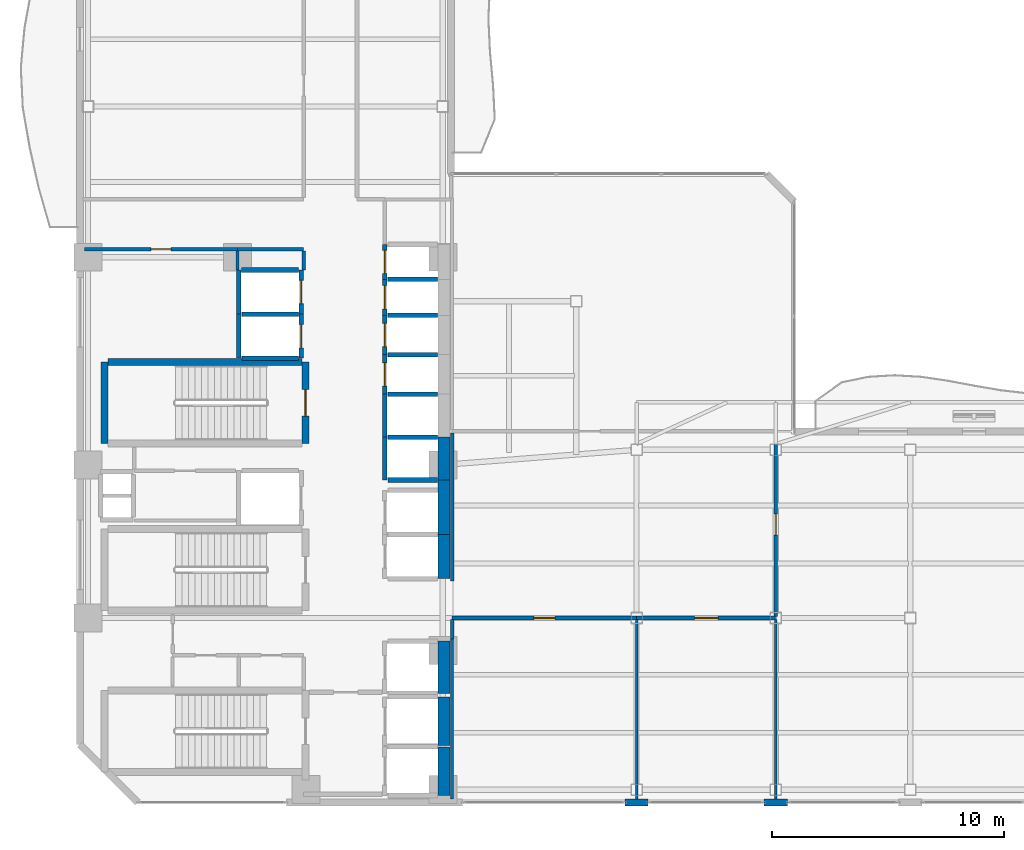
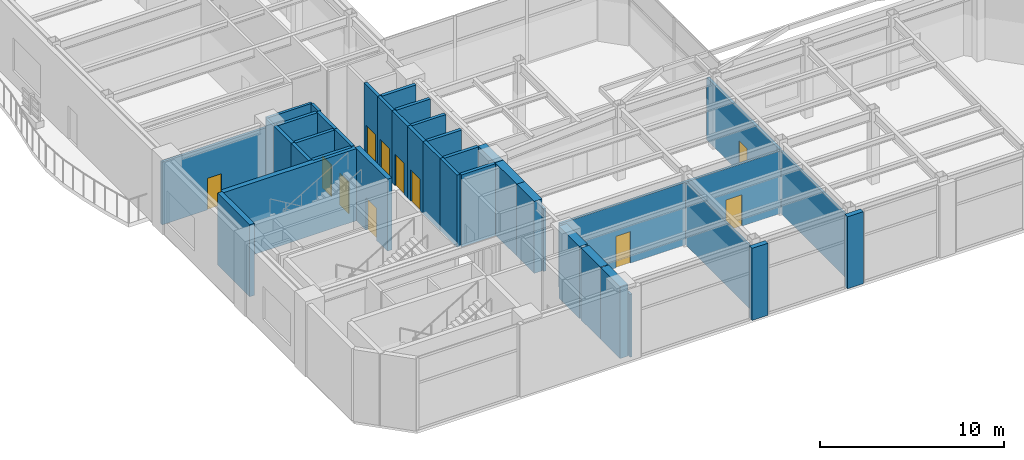
# One storey, part 17 of 23: 42 walls, 11 doors, 11 openings.
"""IFC4 building model written with IfcOpenShell, lengths in metres."""

from ifc_helpers import new_model, si_unit, direction, frame, frame_2d, origin, place, context, subcontext, project, spatial, rectangle, extrude, material, layer, layer_set, type_object, element, fill, save


model = new_model("IFC4")

# Units and contexts
model_context = context("Model", 3, precision=1e-05, world=origin(), true_north=direction((0.0, 1.0)))
body_context = subcontext(model_context, "Body", "Model", "MODEL_VIEW")
ifc_project = project(units=[si_unit("LENGTHUNIT", "METRE"), si_unit("AREAUNIT", "SQUARE_METRE"), si_unit("VOLUMEUNIT", "CUBIC_METRE"), si_unit("PLANEANGLEUNIT", "RADIAN"), si_unit("MASSUNIT", "GRAM", prefix="KILO")], contexts=[model_context])

# Site, building, storey
site_placement = place(None, origin())
site = spatial("IfcSite", under=ifc_project, at=site_placement, CompositionType="ELEMENT")
building_placement = place(site_placement, origin())
building = spatial("IfcBuilding", under=site, at=building_placement, Name="Mawjaban Terraces University", CompositionType="ELEMENT")
storey_placement = place(building_placement, frame((0.0, 0.0, 98.39990234375)))
storey = spatial("IfcBuildingStorey", under=building, at=storey_placement, Name="L23", CompositionType="ELEMENT", Elevation=98.39990234375)

# Walls
ifc_material_1 = material(Name="Concrete C60/75", Category="concrete")
ifc_layer_1 = layer(ifc_material_1, 0.5)
ifc_layer_set_1 = layer_set([ifc_layer_1], Name="Concrete C60/75")
wall_type_1 = type_object("IfcWallType", Name="CoreShearWall_500", PredefinedType="SHEAR", material=ifc_layer_set_1)
wall_1_placement = place(storey_placement, frame((37.699951171875, 0.300048828125, 0.0), z_axis=(0.0, 0.0, 1.0), x_axis=(0.0, 1.0, 0.0)))
element("IfcWall", 1, at=wall_1_placement, inside=storey, type_object=wall_type_1, Name="L23 Lift FL-1 Hoistway Wall East", PredefinedType="SHEAR", context=body_context, shape_type="SweptSolid", body=[
    extrude(rectangle(XDim=2.099853515625, YDim=0.5, at=frame_2d((1.0498046875, 0.0))), origin(), (0.0, 0.0, 1.0), 4.7900390625),
])
wall_2_placement = place(storey_placement, frame((37.699951171875, 2.449951171875, 0.0), z_axis=(0.0, 0.0, 1.0), x_axis=(0.0, 1.0, 0.0)))
element("IfcWall", 2, at=wall_2_placement, inside=storey, type_object=wall_type_1, Name="L23 Lift FL-2 Hoistway Wall East", PredefinedType="SHEAR", context=body_context, shape_type="SweptSolid", body=[
    extrude(rectangle(XDim=2.10009765625, YDim=0.5, at=frame_2d((1.050048828125, 0.0))), origin(), (0.0, 0.0, 1.0), 4.7900390625),
])
wall_3_placement = place(storey_placement, frame((37.699951171875, 4.699951171875, 0.0), z_axis=(0.0, 0.0, 1.0), x_axis=(0.0, 1.0, 0.0)))
element("IfcWall", 3, at=wall_3_placement, inside=storey, type_object=wall_type_1, Name="L23 Lift SL-1 Hoistway Wall East", PredefinedType="SHEAR", context=body_context, shape_type="SweptSolid", body=[
    extrude(rectangle(XDim=2.25, YDim=0.5, at=frame_2d((1.125, 0.0))), origin(), (0.0, 0.0, 1.0), 4.7900390625),
])
wall_4_placement = place(storey_placement, frame((37.699951171875, 9.64990234375, 0.0), z_axis=(0.0, 0.0, 1.0), x_axis=(0.0, 1.0, 0.0)))
element("IfcWall", 4, at=wall_4_placement, inside=storey, type_object=wall_type_1, Name="L23 Lift PL-H1 Hoistway Wall East", PredefinedType="SHEAR", context=body_context, shape_type="SweptSolid", body=[
    extrude(rectangle(XDim=1.900146484375, YDim=0.5, at=frame_2d((0.9501953125, 0.0))), origin(), (0.0, 0.0, 1.0), 4.7900390625),
])
wall_5_placement = place(storey_placement, frame((37.699951171875, 11.550048828125, 0.0), z_axis=(0.0, 0.0, 1.0), x_axis=(0.0, 1.0, 0.0)))
element("IfcWall", 5, at=wall_5_placement, inside=storey, type_object=wall_type_1, Name="L23 Lift PL-H2 Hoistway Wall East", PredefinedType="SHEAR", context=body_context, shape_type="SweptSolid", body=[
    extrude(rectangle(XDim=2.349853515625, YDim=0.5, at=frame_2d((1.1748046875, 0.0))), origin(), (0.0, 0.0, 1.0), 4.7900390625),
])
wall_6_placement = place(storey_placement, frame((37.699951171875, 13.89990234375, 0.0), z_axis=(0.0, 0.0, 1.0), x_axis=(0.0, 1.0, 0.0)))
element("IfcWall", 6, at=wall_6_placement, inside=storey, type_object=wall_type_1, Name="L23 Lift OL-1 Hoistway Wall East", PredefinedType="SHEAR", context=body_context, shape_type="SweptSolid", body=[
    extrude(rectangle(XDim=1.85009765625, YDim=0.5, at=frame_2d((0.925048828125, 0.0))), origin(), (0.0, 0.0, 1.0), 4.7900390625),
])

# Wall, opening, door
ifc_material_2 = material(Name="Fire-rated gypsum board on steel stud", Category="steel")
ifc_layer_2 = layer(ifc_material_2, 0.159912109375)
ifc_layer_set_2 = layer_set([ifc_layer_2], Name="Fire-rated gypsum board on steel stud")
wall_type_2 = type_object("IfcWallType", Name="CorridorPartition_160", PredefinedType="PARTITIONING", material=ifc_layer_set_2)
wall_7_placement = place(storey_placement, frame((28.800048828125, 23.85009765625, 0.0), z_axis=(0.0, 0.0, 1.0), x_axis=(-1.0, 0.0, 0.0)))
wall_7 = element("IfcWall", 7, at=wall_7_placement, inside=storey, type_object=wall_type_2, Name="L23 Female Toilet Partition 4", PredefinedType="PARTITIONING", context=body_context, shape_type="SweptSolid", body=[
    extrude(rectangle(XDim=6.60009765625, YDim=0.159912109375, at=frame_2d((3.300048828125, 0.0))), origin(), (0.0, 0.0, 1.0), 4.173095703125),
])
opening_1_placement = place(wall_7_placement, frame((2.860107421875, 0.0, 0.0)))
opening_1 = element("IfcOpeningElement", 8, at=opening_1_placement, cuts=wall_7, Name="Opening ID-088", PredefinedType="OPENING", context=body_context, shape_type="SweptSolid", body=[
    extrude(rectangle(XDim=0.8798828125, YDim=2.10009765625, at=frame_2d((0.43994140625, 1.050048828125))), frame((0.0, 0.08984375, 0.0), z_axis=(0.0, -1.0, 0.0), x_axis=(1.0, 0.0, 0.0)), (0.0, 0.0, 1.0), 0.179931640625),
])
ifc_material_3 = material(Name="Powder-coated steel frame and solid acoustic timber leaf", Category="steel")
door_type_1 = type_object("IfcDoorType", Name="ToiletDoor_880x2100", OperationType="NOTDEFINED", PredefinedType="DOOR", material=ifc_material_3)
door_1_placement = place(opening_1_placement, origin())
door_1 = element("IfcDoor", 9, at=door_1_placement, inside=storey, type_object=door_type_1, Name="L23 Female Toilet Door", OperationType="SINGLE_SWING_LEFT", OverallHeight=2.10009765625, OverallWidth=0.8798828125, PredefinedType="DOOR", context=body_context, shape_type="SweptSolid", body=[
    extrude(rectangle(XDim=0.8798828125, YDim=2.10009765625, at=frame_2d((0.43994140625, 1.050048828125))), frame((0.0, 0.02490234375, 0.0), z_axis=(0.0, -1.0, 0.0), x_axis=(1.0, 0.0, 0.0)), (0.0, 0.0, 1.0), 0.050048828125),
])
fill(opening_1, door_1)

# Wall
wall_8_placement = place(storey_placement, frame((28.800048828125, 23.85009765625, 0.0), z_axis=(0.0, 0.0, 1.0), x_axis=(1.0, 0.0, 0.0)))
element("IfcWall", 10, at=wall_8_placement, inside=storey, type_object=wall_type_2, Name="L23 North Core Cross-Corridor Partition 5", PredefinedType="PARTITIONING", context=body_context, shape_type="SweptSolid", body=[
    extrude(rectangle(XDim=2.849853515625, YDim=0.159912109375, at=frame_2d((1.4248046875, 0.0))), origin(), (0.0, 0.0, 1.0), 4.7900390625),
])

# Wall, opening, door
wall_9_placement = place(storey_placement, frame((38.050048828125, 7.949951171875, 0.0), z_axis=(0.0, 0.0, 1.0), x_axis=(1.0, 0.0, 0.0)))
wall_9 = element("IfcWall", 11, at=wall_9_placement, inside=storey, type_object=wall_type_2, Name="L23 Transfer Sky Lobby Concourse Partition 13", PredefinedType="PARTITIONING", context=body_context, shape_type="SweptSolid", body=[
    extrude(rectangle(XDim=7.949951171875, YDim=0.159912109375, at=frame_2d((3.97509765625, 0.0))), origin(), (0.0, 0.0, 1.0), 4.173095703125),
])
opening_2_placement = place(wall_9_placement, frame((3.52490234375, 0.0, 0.0)))
opening_2 = element("IfcOpeningElement", 12, at=opening_2_placement, cuts=wall_9, Name="Opening ID-090", PredefinedType="OPENING", context=body_context, shape_type="SweptSolid", body=[
    extrude(rectangle(XDim=0.89990234375, YDim=2.10009765625, at=frame_2d((0.449951171875, 1.050048828125))), frame((0.0, 0.08984375, 0.0), z_axis=(0.0, -1.0, 0.0), x_axis=(1.0, 0.0, 0.0)), (0.0, 0.0, 1.0), 0.179931640625),
])
door_type_2 = type_object("IfcDoorType", Name="OfficeDoor_900x2100", OperationType="NOTDEFINED", PredefinedType="DOOR", material=ifc_material_3)
door_2_placement = place(opening_2_placement, origin())
door_2 = element("IfcDoor", 13, at=door_2_placement, inside=storey, type_object=door_type_2, Name="L23 Colloquium Seminar Room 1 Door", OperationType="SINGLE_SWING_LEFT", OverallHeight=2.10009765625, OverallWidth=0.89990234375, PredefinedType="DOOR", context=body_context, shape_type="SweptSolid", body=[
    extrude(rectangle(XDim=0.89990234375, YDim=2.10009765625, at=frame_2d((0.449951171875, 1.050048828125))), frame((0.0, 0.02490234375, 0.0), z_axis=(0.0, -1.0, 0.0), x_axis=(1.0, 0.0, 0.0)), (0.0, 0.0, 1.0), 0.050048828125),
])
fill(opening_2, door_2)

wall_10_placement = place(storey_placement, frame((46.0, 7.949951171875, 0.0), z_axis=(0.0, 0.0, 1.0), x_axis=(1.0, 0.0, 0.0)))
wall_10 = element("IfcWall", 14, at=wall_10_placement, inside=storey, type_object=wall_type_2, Name="L23 Transfer Sky Lobby Concourse Partition 14", PredefinedType="PARTITIONING", context=body_context, shape_type="SweptSolid", body=[
    extrude(rectangle(XDim=6.0, YDim=0.159912109375, at=frame_2d((3.0, 0.0))), origin(), (0.0, 0.0, 1.0), 4.173095703125),
])
opening_3_placement = place(wall_10_placement, frame((2.5, 0.0, 0.0)))
opening_3 = element("IfcOpeningElement", 15, at=opening_3_placement, cuts=wall_10, Name="Opening ID-100", PredefinedType="OPENING", context=body_context, shape_type="SweptSolid", body=[
    extrude(rectangle(XDim=1.0, YDim=2.10009765625, at=frame_2d((0.5, 1.050048828125))), frame((0.0, 0.08984375, 0.0), z_axis=(0.0, -1.0, 0.0), x_axis=(1.0, 0.0, 0.0)), (0.0, 0.0, 1.0), 0.179931640625),
])
door_type_3 = type_object("IfcDoorType", Name="ClassroomDoor_1000x2100", OperationType="NOTDEFINED", PredefinedType="DOOR", material=ifc_material_3)
door_3_placement = place(opening_3_placement, origin())
door_3 = element("IfcDoor", 16, at=door_3_placement, inside=storey, type_object=door_type_3, Name="L23 Colloquium Seminar Room 2 Door", OperationType="SINGLE_SWING_RIGHT", OverallHeight=2.10009765625, OverallWidth=1.0, PredefinedType="DOOR", context=body_context, shape_type="SweptSolid", body=[
    extrude(rectangle(XDim=1.0, YDim=2.10009765625, at=frame_2d((0.5, 1.050048828125))), frame((0.0, 0.02490234375, 0.0), z_axis=(0.0, -1.0, 0.0), x_axis=(1.0, 0.0, 0.0)), (0.0, 0.0, 1.0), 0.050048828125),
])
fill(opening_3, door_3)

# Walls
wall_11_placement = place(storey_placement, frame((31.64990234375, 23.77490234375, 0.0), z_axis=(0.0, 0.0, 1.0), x_axis=(0.0, -1.0, 0.0)))
element("IfcWall", 17, at=wall_11_placement, inside=storey, type_object=wall_type_2, Name="L23 Passenger Lift Lobby Partition 22", PredefinedType="PARTITIONING", context=body_context, shape_type="SweptSolid", body=[
    extrude(rectangle(XDim=0.824951171875, YDim=0.159912109375, at=frame_2d((0.41259765625, 0.0))), origin(), (0.0, 0.0, 1.0), 4.7900390625),
])
wall_12_placement = place(storey_placement, frame((38.050048828125, 7.050048828125, 0.0), z_axis=(0.0, 0.0, 1.0), x_axis=(0.0, 1.0, 0.0)))
element("IfcWall", 18, at=wall_12_placement, inside=storey, type_object=wall_type_2, Name="L23 Core Stair and Lift Lobby East Partition 28", PredefinedType="PARTITIONING", context=body_context, shape_type="SweptSolid", body=[
    extrude(rectangle(XDim=0.824951171875, YDim=0.159912109375, at=frame_2d((0.41259765625, 0.0))), origin(), (0.0, 0.0, 1.0), 4.173095703125),
])
wall_13_placement = place(storey_placement, frame((38.050048828125, 15.925048828125, 0.0), z_axis=(0.0, 0.0, 1.0), x_axis=(0.0, -1.0, 0.0)))
element("IfcWall", 19, at=wall_13_placement, inside=storey, type_object=wall_type_2, Name="L23 Transfer Sky Lobby Concourse Partition 30", PredefinedType="PARTITIONING", context=body_context, shape_type="SweptSolid", body=[
    extrude(rectangle(XDim=6.375, YDim=0.159912109375, at=frame_2d((3.1875, 0.0))), origin(), (0.0, 0.0, 1.0), 4.173095703125),
])

# Wall, opening, door
wall_14_placement = place(storey_placement, frame((52.0, 8.02490234375, 0.0), z_axis=(0.0, 0.0, 1.0), x_axis=(0.0, 1.0, 0.0)))
wall_14 = element("IfcWall", 20, at=wall_14_placement, inside=storey, type_object=wall_type_2, Name="L23 Transfer Sky Lobby Concourse Partition 34", PredefinedType="PARTITIONING", context=body_context, shape_type="SweptSolid", body=[
    extrude(rectangle(XDim=7.900146484375, YDim=0.159912109375, at=frame_2d((3.9501953125, 0.0))), origin(), (0.0, 0.0, 1.0), 4.173095703125),
])
opening_4_placement = place(wall_14_placement, frame((3.5, 0.0, 0.0)))
opening_4 = element("IfcOpeningElement", 21, at=opening_4_placement, cuts=wall_14, Name="Opening ID-090", PredefinedType="OPENING", context=body_context, shape_type="SweptSolid", body=[
    extrude(rectangle(XDim=0.89990234375, YDim=2.10009765625, at=frame_2d((0.449951171875, 1.050048828125))), frame((0.0, 0.08984375, 0.0), z_axis=(0.0, -1.0, 0.0), x_axis=(1.0, 0.0, 0.0)), (0.0, 0.0, 1.0), 0.179931640625),
])
door_4_placement = place(opening_4_placement, origin())
door_4 = element("IfcDoor", 22, at=door_4_placement, inside=storey, type_object=door_type_2, Name="L23 Low-to-Mid Sky Lounge Commons Door", OperationType="SINGLE_SWING_RIGHT", OverallHeight=2.10009765625, OverallWidth=0.89990234375, PredefinedType="DOOR", context=body_context, shape_type="SweptSolid", body=[
    extrude(rectangle(XDim=0.89990234375, YDim=2.10009765625, at=frame_2d((0.449951171875, 1.050048828125))), frame((0.0, 0.02490234375, 0.0), z_axis=(0.0, -1.0, 0.0), x_axis=(1.0, 0.0, 0.0)), (0.0, 0.0, 1.0), 0.050048828125),
])
fill(opening_4, door_4)

# Walls
ifc_material_4 = material(Name="Insulated terracotta rainscreen on concrete backup C40/50", Category="masonry")
ifc_layer_3 = layer(ifc_material_4, 0.300048828125)
ifc_layer_set_3 = layer_set([ifc_layer_3], Name="Insulated terracotta rainscreen on concrete backup C40/50")
wall_type_3 = type_object("IfcWallType", Name="ExtTerracottaWall_300", PredefinedType="SOLIDWALL", material=ifc_layer_set_3)
for number, where, z_axis, x_axis, name in (
    (23, (45.5, 0.0, 0.0), (0.0, 0.0, 1.0), (1.0, 0.0, 0.0), "L23 Exterior Terracotta Pier Wall 1.2"),
    (24, (51.5, 0.0, 0.0), (0.0, 0.0, 1.0), (1.0, 0.0, 0.0), "L23 Exterior Terracotta Pier Wall 1.3"),
):
    element("IfcWall", number, at=place(storey_placement, frame(where, z_axis=z_axis, x_axis=x_axis)), inside=storey, type_object=wall_type_3, Name=name, PredefinedType="SOLIDWALL", context=body_context, shape_type="SweptSolid", body=[
        extrude(rectangle(XDim=1.0, YDim=0.300048828125, at=frame_2d((0.5, 0.0))), origin(), (0.0, 0.0, 1.0), 4.7900390625),
    ])
ifc_material_5 = material(Name="Concrete C40/50", Category="concrete")
ifc_layer_4 = layer(ifc_material_5, 0.199951171875)
ifc_layer_set_4 = layer_set([ifc_layer_4], Name="Concrete C40/50")
wall_type_4 = type_object("IfcWallType", Name="FireLobbyWall_200", PredefinedType="SOLIDWALL", material=ifc_layer_set_4)
wall_15_placement = place(storey_placement, frame((35.14990234375, 15.75, 0.0), z_axis=(0.0, 0.0, 1.0), x_axis=(0.0, -1.0, 0.0)))
element("IfcWall", 25, at=wall_15_placement, inside=storey, type_object=wall_type_4, Name="L23 Lift OL-1 Hoistway Wall West", PredefinedType="SOLIDWALL", context=body_context, shape_type="SweptSolid", body=[
    extrude(rectangle(XDim=1.85009765625, YDim=0.199951171875, at=frame_2d((0.925048828125, 0.0))), origin(), (0.0, 0.0, 1.0), 4.7900390625),
])
for number, where, z_axis, x_axis, name in (
    (26, (35.280029296875, 13.89990234375, 0.0), (0.0, 0.0, 1.0), (1.0, 0.0, 0.0), "L23 Lift OL-1 Hoistway Wall South"),
    (27, (37.419921875, 15.75, 0.0), (0.0, 0.0, 1.0), (-1.0, 0.0, 0.0), "L23 Lift OL-1 Hoistway Wall North"),
):
    element("IfcWall", number, at=place(storey_placement, frame(where, z_axis=z_axis, x_axis=x_axis)), inside=storey, type_object=wall_type_4, Name=name, PredefinedType="SOLIDWALL", context=body_context, shape_type="SweptSolid", body=[
        extrude(rectangle(XDim=2.139892578125, YDim=0.199951171875, at=frame_2d((1.06982421875, 0.0))), origin(), (0.0, 0.0, 1.0), 4.7900390625),
    ])
wall_16_placement = place(storey_placement, frame((35.14990234375, 17.60009765625, 0.0), z_axis=(0.0, 0.0, 1.0), x_axis=(0.0, -1.0, 0.0)))
element("IfcWall", 28, at=wall_16_placement, inside=storey, type_object=wall_type_4, Name="L23 Lift OL-2 Hoistway Wall West", PredefinedType="SOLIDWALL", context=body_context, shape_type="SweptSolid", body=[
    extrude(rectangle(XDim=1.85009765625, YDim=0.199951171875, at=frame_2d((0.925048828125, 0.0))), origin(), (0.0, 0.0, 1.0), 4.7900390625),
])
wall_17_placement = place(storey_placement, frame((37.419921875, 17.60009765625, 0.0), z_axis=(0.0, 0.0, 1.0), x_axis=(-1.0, 0.0, 0.0)))
element("IfcWall", 29, at=wall_17_placement, inside=storey, type_object=wall_type_4, Name="L23 Lift OL-2 Hoistway Wall North", PredefinedType="SOLIDWALL", context=body_context, shape_type="SweptSolid", body=[
    extrude(rectangle(XDim=2.139892578125, YDim=0.199951171875, at=frame_2d((1.06982421875, 0.0))), origin(), (0.0, 0.0, 1.0), 4.7900390625),
])

# Wall, opening, door
wall_18_placement = place(storey_placement, frame((35.14990234375, 19.300048828125, 0.0), z_axis=(0.0, 0.0, 1.0), x_axis=(0.0, -1.0, 0.0)))
wall_18 = element("IfcWall", 30, at=wall_18_placement, inside=storey, type_object=wall_type_4, Name="L23 Lift PL-M1 Hoistway Wall West", PredefinedType="SOLIDWALL", context=body_context, shape_type="SweptSolid", body=[
    extrude(rectangle(XDim=1.699951171875, YDim=0.199951171875, at=frame_2d((0.85009765625, 0.0))), origin(), (0.0, 0.0, 1.0), 4.7900390625),
])
opening_5_placement = place(wall_18_placement, frame((0.35009765625, 0.0, 0.0)))
opening_5 = element("IfcOpeningElement", 31, at=opening_5_placement, cuts=wall_18, Name="Opening LD-PL-M1", PredefinedType="OPENING", context=body_context, shape_type="SweptSolid", body=[
    extrude(rectangle(XDim=1.0, YDim=2.10009765625, at=frame_2d((0.5, 1.050048828125))), frame((0.0, 0.10986328125, 0.0), z_axis=(0.0, -1.0, 0.0), x_axis=(1.0, 0.0, 0.0)), (0.0, 0.0, 1.0), 0.219970703125),
])
ifc_material_6 = material(Name="Powder-coated steel frame and fire-rated steel-faced leaf", Category="steel")
door_type_4 = type_object("IfcDoorType", Name="LiftLandingSliding_1000x2100", OperationType="NOTDEFINED", PredefinedType="DOOR", material=ifc_material_6)
door_5_placement = place(opening_5_placement, origin())
door_5 = element("IfcDoor", 32, at=door_5_placement, inside=storey, type_object=door_type_4, Name="L23 Lift PL-M1 Sliding Landing Door", OperationType="DOUBLE_DOOR_SLIDING", OverallHeight=2.10009765625, OverallWidth=1.0, PredefinedType="DOOR", context=body_context, shape_type="SweptSolid", body=[
    extrude(rectangle(XDim=1.0, YDim=2.10009765625, at=frame_2d((0.5, 1.050048828125))), frame((0.0, 0.02490234375, 0.0), z_axis=(0.0, -1.0, 0.0), x_axis=(1.0, 0.0, 0.0)), (0.0, 0.0, 1.0), 0.050048828125),
])
fill(opening_5, door_5)

# Wall
wall_19_placement = place(storey_placement, frame((37.419921875, 19.300048828125, 0.0), z_axis=(0.0, 0.0, 1.0), x_axis=(-1.0, 0.0, 0.0)))
element("IfcWall", 33, at=wall_19_placement, inside=storey, type_object=wall_type_4, Name="L23 Lift PL-M1 Hoistway Wall North", PredefinedType="SOLIDWALL", context=body_context, shape_type="SweptSolid", body=[
    extrude(rectangle(XDim=2.139892578125, YDim=0.199951171875, at=frame_2d((1.06982421875, 0.0))), origin(), (0.0, 0.0, 1.0), 4.7900390625),
])

# Wall, opening, door
wall_20_placement = place(storey_placement, frame((35.14990234375, 21.0, 0.0), z_axis=(0.0, 0.0, 1.0), x_axis=(0.0, -1.0, 0.0)))
wall_20 = element("IfcWall", 34, at=wall_20_placement, inside=storey, type_object=wall_type_4, Name="L23 Lift PL-M2 Hoistway Wall West", PredefinedType="SOLIDWALL", context=body_context, shape_type="SweptSolid", body=[
    extrude(rectangle(XDim=1.699951171875, YDim=0.199951171875, at=frame_2d((0.85009765625, 0.0))), origin(), (0.0, 0.0, 1.0), 4.7900390625),
])
opening_6_placement = place(wall_20_placement, frame((0.35009765625, 0.0, 0.0)))
opening_6 = element("IfcOpeningElement", 35, at=opening_6_placement, cuts=wall_20, Name="Opening LD-PL-M2", PredefinedType="OPENING", context=body_context, shape_type="SweptSolid", body=[
    extrude(rectangle(XDim=1.0, YDim=2.10009765625, at=frame_2d((0.5, 1.050048828125))), frame((0.0, 0.10986328125, 0.0), z_axis=(0.0, -1.0, 0.0), x_axis=(1.0, 0.0, 0.0)), (0.0, 0.0, 1.0), 0.219970703125),
])
door_6_placement = place(opening_6_placement, origin())
door_6 = element("IfcDoor", 36, at=door_6_placement, inside=storey, type_object=door_type_4, Name="L23 Lift PL-M2 Sliding Landing Door", OperationType="DOUBLE_DOOR_SLIDING", OverallHeight=2.10009765625, OverallWidth=1.0, PredefinedType="DOOR", context=body_context, shape_type="SweptSolid", body=[
    extrude(rectangle(XDim=1.0, YDim=2.10009765625, at=frame_2d((0.5, 1.050048828125))), frame((0.0, 0.02490234375, 0.0), z_axis=(0.0, -1.0, 0.0), x_axis=(1.0, 0.0, 0.0)), (0.0, 0.0, 1.0), 0.050048828125),
])
fill(opening_6, door_6)

# Walls
wall_21_placement = place(storey_placement, frame((37.419921875, 21.0, 0.0), z_axis=(0.0, 0.0, 1.0), x_axis=(-1.0, 0.0, 0.0)))
element("IfcWall", 37, at=wall_21_placement, inside=storey, type_object=wall_type_4, Name="L23 Lift PL-M2 Hoistway Wall North", PredefinedType="SOLIDWALL", context=body_context, shape_type="SweptSolid", body=[
    extrude(rectangle(XDim=2.139892578125, YDim=0.199951171875, at=frame_2d((1.06982421875, 0.0))), origin(), (0.0, 0.0, 1.0), 4.7900390625),
])
wall_22_placement = place(storey_placement, frame((28.85009765625, 21.050048828125, 0.0), z_axis=(0.0, 0.0, 1.0), x_axis=(0.0, -1.0, 0.0)))
element("IfcWall", 38, at=wall_22_placement, inside=storey, type_object=wall_type_4, Name="L23 Lift PL-M3 Hoistway Wall West", PredefinedType="SOLIDWALL", context=body_context, shape_type="SweptSolid", body=[
    extrude(rectangle(XDim=1.900146484375, YDim=0.199951171875, at=frame_2d((0.9501953125, 0.0))), origin(), (0.0, 0.0, 1.0), 4.7900390625),
])

# Wall, opening, door
wall_23_placement = place(storey_placement, frame((31.550048828125, 19.14990234375, 0.0), z_axis=(0.0, 0.0, 1.0), x_axis=(0.0, 1.0, 0.0)))
wall_23 = element("IfcWall", 39, at=wall_23_placement, inside=storey, type_object=wall_type_4, Name="L23 Lift PL-M3 Hoistway Wall East", PredefinedType="SOLIDWALL", context=body_context, shape_type="SweptSolid", body=[
    extrude(rectangle(XDim=1.900146484375, YDim=0.199951171875, at=frame_2d((0.9501953125, 0.0))), origin(), (0.0, 0.0, 1.0), 4.7900390625),
])
opening_7_placement = place(wall_23_placement, frame((0.449951171875, 0.0, 0.0)))
opening_7 = element("IfcOpeningElement", 40, at=opening_7_placement, cuts=wall_23, Name="Opening LD-PL-M3", PredefinedType="OPENING", context=body_context, shape_type="SweptSolid", body=[
    extrude(rectangle(XDim=1.0, YDim=2.10009765625, at=frame_2d((0.5, 1.050048828125))), frame((0.0, 0.10986328125, 0.0), z_axis=(0.0, -1.0, 0.0), x_axis=(1.0, 0.0, 0.0)), (0.0, 0.0, 1.0), 0.219970703125),
])
door_7_placement = place(opening_7_placement, origin())
door_7 = element("IfcDoor", 41, at=door_7_placement, inside=storey, type_object=door_type_4, Name="L23 Lift PL-M3 Sliding Landing Door", OperationType="DOUBLE_DOOR_SLIDING", OverallHeight=2.10009765625, OverallWidth=1.0, PredefinedType="DOOR", context=body_context, shape_type="SweptSolid", body=[
    extrude(rectangle(XDim=1.0, YDim=2.10009765625, at=frame_2d((0.5, 1.050048828125))), frame((0.0, 0.02490234375, 0.0), z_axis=(0.0, -1.0, 0.0), x_axis=(1.0, 0.0, 0.0)), (0.0, 0.0, 1.0), 0.050048828125),
])
fill(opening_7, door_7)

# Walls
for number, where, z_axis, x_axis, name in (
    (42, (28.97998046875, 19.14990234375, 0.0), (0.0, 0.0, 1.0), (1.0, 0.0, 0.0), "L23 Lift PL-M3 Hoistway Wall South"),
    (43, (31.419921875, 21.050048828125, 0.0), (0.0, 0.0, 1.0), (-1.0, 0.0, 0.0), "L23 Lift PL-M3 Hoistway Wall North"),
):
    element("IfcWall", number, at=place(storey_placement, frame(where, z_axis=z_axis, x_axis=x_axis)), inside=storey, type_object=wall_type_4, Name=name, PredefinedType="SOLIDWALL", context=body_context, shape_type="SweptSolid", body=[
        extrude(rectangle(XDim=2.43994140625, YDim=0.199951171875, at=frame_2d((1.219970703125, 0.0))), origin(), (0.0, 0.0, 1.0), 4.7900390625),
    ])

# Wall, opening, door
wall_24_placement = place(storey_placement, frame((35.14990234375, 22.550048828125, 0.0), z_axis=(0.0, 0.0, 1.0), x_axis=(0.0, -1.0, 0.0)))
wall_24 = element("IfcWall", 44, at=wall_24_placement, inside=storey, type_object=wall_type_4, Name="L23 Lift PL-L1 Hoistway Wall West", PredefinedType="SOLIDWALL", context=body_context, shape_type="SweptSolid", body=[
    extrude(rectangle(XDim=1.550048828125, YDim=0.199951171875, at=frame_2d((0.77490234375, 0.0))), origin(), (0.0, 0.0, 1.0), 4.7900390625),
])
opening_8_placement = place(wall_24_placement, frame((0.27490234375, 0.0, 0.0)))
opening_8 = element("IfcOpeningElement", 45, at=opening_8_placement, cuts=wall_24, Name="Opening LD-PL-L1", PredefinedType="OPENING", context=body_context, shape_type="SweptSolid", body=[
    extrude(rectangle(XDim=1.0, YDim=2.10009765625, at=frame_2d((0.5, 1.050048828125))), frame((0.0, 0.10986328125, 0.0), z_axis=(0.0, -1.0, 0.0), x_axis=(1.0, 0.0, 0.0)), (0.0, 0.0, 1.0), 0.219970703125),
])
door_8_placement = place(opening_8_placement, origin())
door_8 = element("IfcDoor", 46, at=door_8_placement, inside=storey, type_object=door_type_4, Name="L23 Lift PL-L1 Sliding Landing Door", OperationType="DOUBLE_DOOR_SLIDING", OverallHeight=2.10009765625, OverallWidth=1.0, PredefinedType="DOOR", context=body_context, shape_type="SweptSolid", body=[
    extrude(rectangle(XDim=1.0, YDim=2.10009765625, at=frame_2d((0.5, 1.050048828125))), frame((0.0, 0.02490234375, 0.0), z_axis=(0.0, -1.0, 0.0), x_axis=(1.0, 0.0, 0.0)), (0.0, 0.0, 1.0), 0.050048828125),
])
fill(opening_8, door_8)

# Wall
wall_25_placement = place(storey_placement, frame((37.419921875, 22.550048828125, 0.0), z_axis=(0.0, 0.0, 1.0), x_axis=(-1.0, 0.0, 0.0)))
element("IfcWall", 47, at=wall_25_placement, inside=storey, type_object=wall_type_4, Name="L23 Lift PL-L1 Hoistway Wall North", PredefinedType="SOLIDWALL", context=body_context, shape_type="SweptSolid", body=[
    extrude(rectangle(XDim=2.139892578125, YDim=0.199951171875, at=frame_2d((1.06982421875, 0.0))), origin(), (0.0, 0.0, 1.0), 4.7900390625),
])

# Wall, opening, door
wall_26_placement = place(storey_placement, frame((35.14990234375, 24.050048828125, 0.0), z_axis=(0.0, 0.0, 1.0), x_axis=(0.0, -1.0, 0.0)))
wall_26 = element("IfcWall", 48, at=wall_26_placement, inside=storey, type_object=wall_type_4, Name="L23 Lift PL-L2 Hoistway Wall West", PredefinedType="SOLIDWALL", context=body_context, shape_type="SweptSolid", body=[
    extrude(rectangle(XDim=1.5, YDim=0.199951171875, at=frame_2d((0.75, 0.0))), origin(), (0.0, 0.0, 1.0), 4.7900390625),
])
opening_9_placement = place(wall_26_placement, frame((0.25, 0.0, 0.0)))
opening_9 = element("IfcOpeningElement", 49, at=opening_9_placement, cuts=wall_26, Name="Opening LD-PL-L2", PredefinedType="OPENING", context=body_context, shape_type="SweptSolid", body=[
    extrude(rectangle(XDim=1.0, YDim=2.10009765625, at=frame_2d((0.5, 1.050048828125))), frame((0.0, 0.10986328125, 0.0), z_axis=(0.0, -1.0, 0.0), x_axis=(1.0, 0.0, 0.0)), (0.0, 0.0, 1.0), 0.219970703125),
])
door_9_placement = place(opening_9_placement, origin())
door_9 = element("IfcDoor", 50, at=door_9_placement, inside=storey, type_object=door_type_4, Name="L23 Lift PL-L2 Sliding Landing Door", OperationType="DOUBLE_DOOR_SLIDING", OverallHeight=2.10009765625, OverallWidth=1.0, PredefinedType="DOOR", context=body_context, shape_type="SweptSolid", body=[
    extrude(rectangle(XDim=1.0, YDim=2.10009765625, at=frame_2d((0.5, 1.050048828125))), frame((0.0, 0.02490234375, 0.0), z_axis=(0.0, -1.0, 0.0), x_axis=(1.0, 0.0, 0.0)), (0.0, 0.0, 1.0), 0.050048828125),
])
fill(opening_9, door_9)

# Wall
wall_27_placement = place(storey_placement, frame((28.85009765625, 22.949951171875, 0.0), z_axis=(0.0, 0.0, 1.0), x_axis=(0.0, -1.0, 0.0)))
element("IfcWall", 51, at=wall_27_placement, inside=storey, type_object=wall_type_4, Name="L23 Lift PL-L3 Hoistway Wall West", PredefinedType="SOLIDWALL", context=body_context, shape_type="SweptSolid", body=[
    extrude(rectangle(XDim=1.89990234375, YDim=0.199951171875, at=frame_2d((0.949951171875, 0.0))), origin(), (0.0, 0.0, 1.0), 4.7900390625),
])

# Wall, opening, door
wall_28_placement = place(storey_placement, frame((31.550048828125, 21.050048828125, 0.0), z_axis=(0.0, 0.0, 1.0), x_axis=(0.0, 1.0, 0.0)))
wall_28 = element("IfcWall", 52, at=wall_28_placement, inside=storey, type_object=wall_type_4, Name="L23 Lift PL-L3 Hoistway Wall East", PredefinedType="SOLIDWALL", context=body_context, shape_type="SweptSolid", body=[
    extrude(rectangle(XDim=1.89990234375, YDim=0.199951171875, at=frame_2d((0.949951171875, 0.0))), origin(), (0.0, 0.0, 1.0), 4.7900390625),
])
opening_10_placement = place(wall_28_placement, frame((0.449951171875, 0.0, 0.0)))
opening_10 = element("IfcOpeningElement", 53, at=opening_10_placement, cuts=wall_28, Name="Opening LD-PL-L3", PredefinedType="OPENING", context=body_context, shape_type="SweptSolid", body=[
    extrude(rectangle(XDim=1.0, YDim=2.10009765625, at=frame_2d((0.5, 1.050048828125))), frame((0.0, 0.10986328125, 0.0), z_axis=(0.0, -1.0, 0.0), x_axis=(1.0, 0.0, 0.0)), (0.0, 0.0, 1.0), 0.219970703125),
])
door_10_placement = place(opening_10_placement, origin())
door_10 = element("IfcDoor", 54, at=door_10_placement, inside=storey, type_object=door_type_4, Name="L23 Lift PL-L3 Sliding Landing Door", OperationType="DOUBLE_DOOR_SLIDING", OverallHeight=2.10009765625, OverallWidth=1.0, PredefinedType="DOOR", context=body_context, shape_type="SweptSolid", body=[
    extrude(rectangle(XDim=1.0, YDim=2.10009765625, at=frame_2d((0.5, 1.050048828125))), frame((0.0, 0.02490234375, 0.0), z_axis=(0.0, -1.0, 0.0), x_axis=(1.0, 0.0, 0.0)), (0.0, 0.0, 1.0), 0.050048828125),
])
fill(opening_10, door_10)

# Walls
wall_29_placement = place(storey_placement, frame((31.429931640625, 22.949951171875, 0.0), z_axis=(0.0, 0.0, 1.0), x_axis=(-1.0, 0.0, 0.0)))
element("IfcWall", 55, at=wall_29_placement, inside=storey, type_object=wall_type_4, Name="L23 Lift PL-L3 Hoistway Wall North", PredefinedType="SOLIDWALL", context=body_context, shape_type="SweptSolid", body=[
    extrude(rectangle(XDim=2.4599609375, YDim=0.199951171875, at=frame_2d((1.22998046875, 0.0))), origin(), (0.0, 0.0, 1.0), 4.7900390625),
])
ifc_material_7 = material(Name="Gypsum plasterboard on steel stud", Category="steel")
ifc_layer_5 = layer(ifc_material_7, 0.125)
ifc_layer_set_5 = layer_set([ifc_layer_5], Name="Gypsum plasterboard on steel stud")
wall_type_5 = type_object("IfcWallType", Name="OfficePartition_125", PredefinedType="PARTITIONING", material=ifc_layer_set_5)
wall_30_placement = place(storey_placement, frame((38.050048828125, 7.050048828125, 0.0), z_axis=(0.0, 0.0, 1.0), x_axis=(0.0, -1.0, 0.0)))
element("IfcWall", 56, at=wall_30_placement, inside=storey, type_object=wall_type_5, Name="L23 Colloquium Seminar Room 1 Partition 29", PredefinedType="PARTITIONING", context=body_context, shape_type="SweptSolid", body=[
    extrude(rectangle(XDim=6.905029296875, YDim=0.125, at=frame_2d((3.45263671875, 0.0))), origin(), (0.0, 0.0, 1.0), 4.173095703125),
])
wall_31_placement = place(storey_placement, frame((52.0, 7.875, 0.0), z_axis=(0.0, 0.0, 1.0), x_axis=(0.0, -1.0, 0.0)))
element("IfcWall", 57, at=wall_31_placement, inside=storey, type_object=wall_type_5, Name="L23 Low-to-Mid Sky Lounge Commons Partition 33", PredefinedType="PARTITIONING", context=body_context, shape_type="SweptSolid", body=[
    extrude(rectangle(XDim=7.72998046875, YDim=0.125, at=frame_2d((3.864990234375, 0.0))), origin(), (0.0, 0.0, 1.0), 4.173095703125),
])
ifc_material_8 = material(Name="Acoustic operable panel partition", Category="masonry")
ifc_layer_6 = layer(ifc_material_8, 0.110107421875)
ifc_layer_set_6 = layer_set([ifc_layer_6], Name="Acoustic operable panel partition")
wall_type_6 = type_object("IfcWallType", Name="OperableSeminarWall_110", PredefinedType="MOVABLE", material=ifc_layer_set_6)
wall_32_placement = place(storey_placement, frame((46.0, 0.14501953125, 0.0), z_axis=(0.0, 0.0, 1.0), x_axis=(0.0, 1.0, 0.0)))
element("IfcWall", 58, at=wall_32_placement, inside=storey, type_object=wall_type_6, Name="L23 Colloquium Seminar Room 1 Partition 32", PredefinedType="MOVABLE", context=body_context, shape_type="SweptSolid", body=[
    extrude(rectangle(XDim=7.72998046875, YDim=0.110107421875, at=frame_2d((3.864990234375, 0.0))), origin(), (0.0, 0.0, 1.0), 4.173095703125),
])
ifc_layer_7 = layer(ifc_material_1, 0.300048828125)
ifc_layer_set_7 = layer_set([ifc_layer_7], Name="Concrete C60/75")
wall_type_7 = type_object("IfcWallType", Name="StairShaftWall_300", PredefinedType="SHEAR", material=ifc_layer_set_7)
wall_33_placement = place(storey_placement, frame((31.580078125, 18.97998046875, 0.0), z_axis=(0.0, 0.0, 1.0), x_axis=(-1.0, 0.0, 0.0)))
element("IfcWall", 59, at=wall_33_placement, inside=storey, type_object=wall_type_7, Name="L23 ST-2 Stair Shaft Wall 1", PredefinedType="SHEAR", context=body_context, shape_type="SweptSolid", body=[
    extrude(rectangle(XDim=8.360107421875, YDim=0.300048828125, at=frame_2d((4.18017578125, 0.0))), origin(), (0.0, 0.0, 1.0), 4.7900390625),
])
wall_34_placement = place(storey_placement, frame((23.070068359375, 18.97998046875, 0.0), z_axis=(0.0, 0.0, 1.0), x_axis=(0.0, -1.0, 0.0)))
element("IfcWall", 60, at=wall_34_placement, inside=storey, type_object=wall_type_7, Name="L23 ST-2 Stair Shaft Wall 2", PredefinedType="SHEAR", context=body_context, shape_type="SweptSolid", body=[
    extrude(rectangle(XDim=3.510009765625, YDim=0.300048828125, at=frame_2d((1.7548828125, 0.0))), origin(), (0.0, 0.0, 1.0), 4.7900390625),
])

# Wall, opening, door
wall_35_placement = place(storey_placement, frame((31.72998046875, 15.469970703125, 0.0), z_axis=(0.0, 0.0, 1.0), x_axis=(0.0, 1.0, 0.0)))
wall_35 = element("IfcWall", 61, at=wall_35_placement, inside=storey, type_object=wall_type_7, Name="L23 ST-2 Stair Shaft Wall 4", PredefinedType="SHEAR", context=body_context, shape_type="SweptSolid", body=[
    extrude(rectangle(XDim=3.510009765625, YDim=0.300048828125, at=frame_2d((1.7548828125, 0.0))), origin(), (0.0, 0.0, 1.0), 4.7900390625),
])
opening_11_placement = place(wall_35_placement, frame((1.179931640625, 0.0, 0.0)))
opening_11 = element("IfcOpeningElement", 62, at=opening_11_placement, cuts=wall_35, Name="Opening FD-115", PredefinedType="OPENING", context=body_context, shape_type="SweptSolid", body=[
    extrude(rectangle(XDim=1.14990234375, YDim=2.14990234375, at=frame_2d((0.574951171875, 1.074951171875))), frame((0.0, 0.159912109375, 0.0), z_axis=(0.0, -1.0, 0.0), x_axis=(1.0, 0.0, 0.0)), (0.0, 0.0, 1.0), 0.320068359375),
])
door_type_5 = type_object("IfcDoorType", Name="FireStairDoor_1150x2150", OperationType="NOTDEFINED", PredefinedType="DOOR", material=ifc_material_6)
door_11_placement = place(opening_11_placement, origin())
door_11 = element("IfcDoor", 63, at=door_11_placement, inside=storey, type_object=door_type_5, Name="L23 ST-2 Pressurised Stair Fire Door", OperationType="SINGLE_SWING_RIGHT", OverallHeight=2.14990234375, OverallWidth=1.14990234375, PredefinedType="DOOR", context=body_context, shape_type="SweptSolid", body=[
    extrude(rectangle(XDim=1.14990234375, YDim=2.14990234375, at=frame_2d((0.574951171875, 1.074951171875))), frame((0.0, 0.02490234375, 0.0), z_axis=(0.0, -1.0, 0.0), x_axis=(1.0, 0.0, 0.0)), (0.0, 0.0, 1.0), 0.050048828125),
])
fill(opening_11, door_11)

# Wall
ifc_material_9 = material(Name="Cement-board wet-room partition", Category="masonry")
ifc_layer_8 = layer(ifc_material_9, 0.135009765625)
ifc_layer_set_8 = layer_set([ifc_layer_8], Name="Cement-board wet-room partition")
wall_type_8 = type_object("IfcWallType", Name="WetRoomPartition_135", PredefinedType="PARTITIONING", material=ifc_layer_set_8)
wall_36_placement = place(storey_placement, frame((28.800048828125, 22.949951171875, 0.0), z_axis=(0.0, 0.0, 1.0), x_axis=(0.0, 1.0, 0.0)))
element("IfcWall", 64, at=wall_36_placement, inside=storey, type_object=wall_type_8, Name="L23 Female Toilet Partition 19", PredefinedType="PARTITIONING", context=body_context, shape_type="SweptSolid", body=[
    extrude(rectangle(XDim=0.824951171875, YDim=0.135009765625, at=frame_2d((0.41259765625, 0.0))), origin(), (0.0, 0.0, 1.0), 4.7900390625),
])

save(model, "model.ifc")
